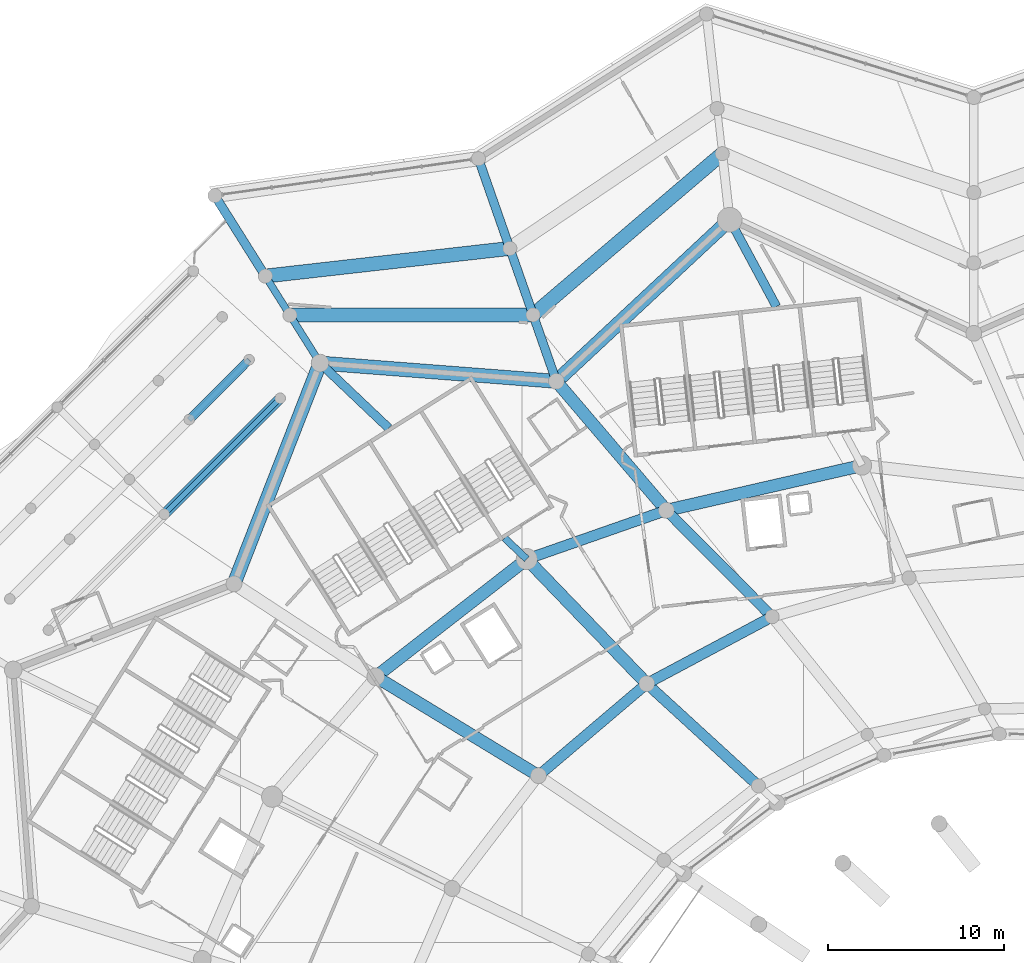
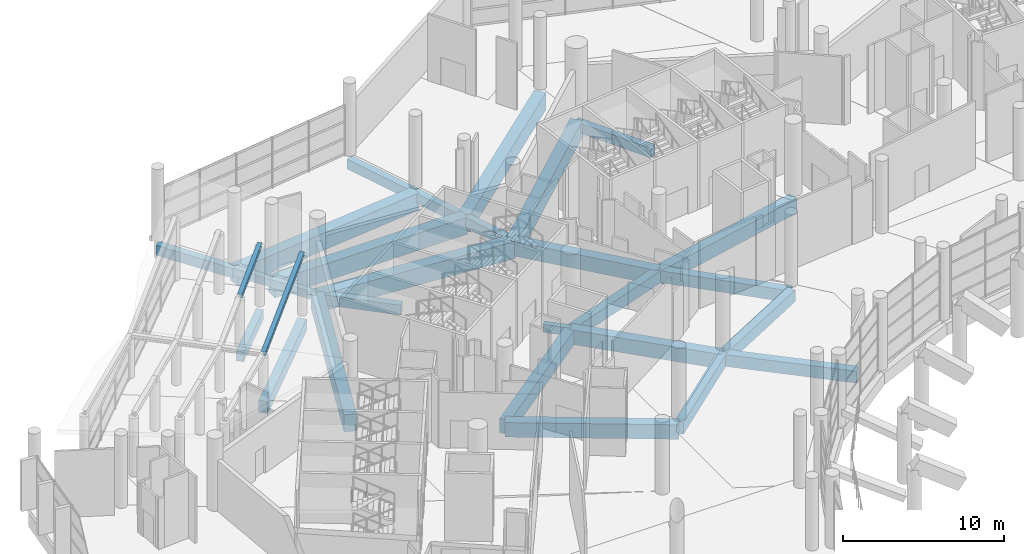
# One storey, part 80 of 271: 29 beams.
"""IFC4 building model written with IfcOpenShell, lengths in metres."""

import ifcopenshell
import ifcopenshell.guid

model = None  # the IFC model being written
_history = None  # IfcOwnerHistory: only IFC2X3 demands one
_inside = {}  # id of a spatial element -> (the spatial element, [elements in it])
_under = {}  # id of a project, library or spatial element -> (it, [spatial elements below it])
_declared = {}  # id of a project -> (the project, [libraries it declares])
_typed = {}  # id of a type object -> (the type object, [elements of that type])
_made_of = {}  # id of a material, layer set ... -> (it, [elements and type objects made of it])


def new_model(schema):
    """Start an empty IFC model of exactly this schema.

    Asked for "IFC4X3", IfcOpenShell would pick the latest addendum, in which some entities
    have other attributes; the version numbers below select the first issue.
    IFC2X3 requires an IfcOwnerHistory on every rooted entity: one is made here for all.
    """
    global model, _history
    if schema == "IFC4X3":
        model = ifcopenshell.file(schema_version=(4, 3, 0, 0))
    else:
        model = ifcopenshell.file(schema=schema)
    _inside.clear()
    _under.clear()
    _declared.clear()
    _typed.clear()
    _made_of.clear()
    _history = None
    if model.schema == "IFC2X3":
        org = make("IfcOrganization", Name="unknown")
        user = make(
            "IfcPersonAndOrganization",
            ThePerson=make("IfcPerson", FamilyName="unknown"),
            TheOrganization=org,
        )
        app = make(
            "IfcApplication",
            ApplicationDeveloper=org,
            Version="unknown",
            ApplicationFullName="unknown",
            ApplicationIdentifier="unknown",
        )
        _history = make(
            "IfcOwnerHistory",
            OwningUser=user,
            OwningApplication=app,
            ChangeAction="ADDED",
            CreationDate=0,
        )
    return model


def make(cls, **values):
    """One entity of the class cls with the attributes given. An attribute that is None is left unset."""
    return model.create_entity(
        cls, **{name: value for name, value in values.items() if value is not None}
    )


def rooted(cls, **values):
    """An entity with a GlobalId (a new one), such as an element, a storey or a relation."""
    return make(cls, GlobalId=ifcopenshell.guid.new(), OwnerHistory=_history, **values)


def si_unit(unit_type, name, prefix=None):
    """IfcSIUnit, for example si_unit("LENGTHUNIT", "METRE", prefix="MILLI")."""
    return make("IfcSIUnit", UnitType=unit_type, Prefix=prefix, Name=name)


def assignment(units):
    """IfcUnitAssignment: the units of a project."""
    return None if units is None else make("IfcUnitAssignment", Units=units)


def point(xyz):
    """IfcCartesianPoint."""
    return None if xyz is None else make("IfcCartesianPoint", Coordinates=xyz)


def direction(xyz):
    """IfcDirection."""
    return None if xyz is None else make("IfcDirection", DirectionRatios=xyz)


def frame(location, z_axis=None, x_axis=None):
    """IfcAxis2Placement3D, a coordinate frame: its origin and axes. An axis left out is left unset."""
    return make(
        "IfcAxis2Placement3D",
        Location=point(location),
        Axis=direction(z_axis),
        RefDirection=direction(x_axis),
    )


def frame_2d(location, x_axis=None):
    """IfcAxis2Placement2D, a coordinate frame in the plane: its origin and x axis."""
    return make(
        "IfcAxis2Placement2D", Location=point(location), RefDirection=direction(x_axis)
    )


def origin():
    """The frame at (0, 0, 0) with its axes left unset."""
    return frame((0.0, 0.0, 0.0))


def origin_2d():
    """The frame at (0, 0) in the plane with its x axis left unset."""
    return frame_2d((0.0, 0.0))


def place(relative_to, where):
    """IfcLocalPlacement: puts the frame where relative to a parent placement (None: the world)."""
    return make(
        "IfcLocalPlacement", PlacementRelTo=relative_to, RelativePlacement=where
    )


def context(
    kind, dimensions, precision=None, world=None, true_north=None, identifier=None
):
    """IfcGeometricRepresentationContext, for example the 3D "Model" context."""
    return make(
        "IfcGeometricRepresentationContext",
        ContextIdentifier=identifier,
        ContextType=kind,
        CoordinateSpaceDimension=dimensions,
        Precision=precision,
        WorldCoordinateSystem=world,
        TrueNorth=true_north,
    )


def subcontext(parent, identifier, kind, view, scale=None):
    """IfcGeometricRepresentationSubContext, for example "Body" below "Model"."""
    return make(
        "IfcGeometricRepresentationSubContext",
        ContextIdentifier=identifier,
        ContextType=kind,
        ParentContext=parent,
        TargetScale=scale,
        TargetView=view,
    )


def project(units=None, contexts=None):
    """IfcProject with its units and contexts."""
    return rooted(
        "IfcProject",
        Name="project",
        RepresentationContexts=contexts,
        UnitsInContext=assignment(units),
    )


def spatial(cls, under=None, at=None, **own):
    """A site, building, storey or space (cls), placed at a placement, below another one or the project."""
    s = rooted(cls, ObjectPlacement=at, **own)
    if under is not None:
        _under.setdefault(under.id(), (under, []))[1].append(s)
    return s


def profile(cls, at=None, kind="AREA", **sizes):
    """A parametric profile (cls). Its sizes go by their IFC names, for example OverallWidth=200.0."""
    return make(cls, ProfileType=kind, Position=at, **sizes)


def rectangle(**sizes):
    """IfcRectangleProfileDef."""
    return profile("IfcRectangleProfileDef", **sizes)


def i_section(**sizes):
    """IfcIShapeProfileDef."""
    return profile("IfcIShapeProfileDef", **sizes)


def extrude(swept, where, along, depth):
    """IfcExtrudedAreaSolid: the profile swept, set in the frame where, extruded along a direction by depth."""
    return make(
        "IfcExtrudedAreaSolid",
        SweptArea=swept,
        Position=where,
        ExtrudedDirection=direction(along),
        Depth=depth,
    )


def shape(context_of_items, identifier, shape_type, items):
    """IfcShapeRepresentation: the items that make up one representation, for example the "Body"."""
    return make(
        "IfcShapeRepresentation",
        ContextOfItems=context_of_items,
        RepresentationIdentifier=identifier,
        RepresentationType=shape_type,
        Items=items,
    )


def material(Name=None, Category=None):
    """IfcMaterial."""
    return make("IfcMaterial", Name=Name, Category=Category)


def material_profile(
    of_material, cross_section, Name=None, Category=None, Priority=None
):
    """IfcMaterialProfile: a cross section and its material."""
    return make(
        "IfcMaterialProfile",
        Name=Name,
        Material=of_material,
        Profile=cross_section,
        Priority=Priority,
        Category=Category,
    )


def profile_set(profiles, Name=None, composite=None):
    """IfcMaterialProfileSet."""
    return make(
        "IfcMaterialProfileSet",
        Name=Name,
        MaterialProfiles=profiles,
        CompositeProfile=composite,
    )


def made_of(thing, what):
    """Note that an element or type object is made of a material, layer set ...; save() writes the relation."""
    if what is not None:
        _made_of.setdefault(what.id(), (what, []))[1].append(thing)
    return thing


def type_object(cls, material=None, **own):
    """A type object (cls), such as IfcWallType, which elements share."""
    return made_of(rooted(cls, **own), material)


def element(
    cls,
    number,
    at=None,
    inside=None,
    cuts=None,
    type_object=None,
    material=None,
    context=None,
    identifier="Body",
    shape_type=None,
    held_by="IfcProductDefinitionShape",
    body=None,
    shapes=None,
    **own,
):
    """One element of the class cls, such as IfcWall. Its Tag is "e" and its number.

    at: its placement. inside: the storey or other place that contains it. cuts: it is an
    opening in that element (IfcRelVoidsElement). A single representation is given by context,
    identifier, shape_type and body (its items); several are given by shapes. held_by: the class
    of the entity that holds the representations. save() writes the other relations.
    """
    e = rooted(cls, Tag="e%d" % number, ObjectPlacement=at, **own)
    if body is not None:
        shapes = [shape(context, identifier, shape_type, body)]
    if shapes is not None:
        e.Representation = make(held_by, Representations=shapes)
    if inside is not None:
        _inside.setdefault(inside.id(), (inside, []))[1].append(e)
    if cuts is not None:
        rooted(
            "IfcRelVoidsElement", RelatingBuildingElement=cuts, RelatedOpeningElement=e
        )
    if type_object is not None:
        _typed.setdefault(type_object.id(), (type_object, []))[1].append(e)
    return made_of(e, material)


def aggregate(whole, parts):
    """IfcRelAggregates: a whole, such as a stair, and the parts it consists of."""
    return rooted("IfcRelAggregates", RelatingObject=whole, RelatedObjects=parts)


def save(model, path):
    """Write the relations noted so far, then the file.

    IfcRelAggregates (storeys below a building ...), IfcRelContainedInSpatialStructure (elements
    in a storey), IfcRelDefinesByType, IfcRelAssociatesMaterial and IfcRelDeclares: one each for
    every whole, place, type object, material and project.
    """
    for whole, parts in _under.values():
        aggregate(whole, parts)
    for where, things in _inside.values():
        rooted(
            "IfcRelContainedInSpatialStructure",
            RelatedElements=things,
            RelatingStructure=where,
        )
    for kind, things in _typed.values():
        rooted("IfcRelDefinesByType", RelatedObjects=things, RelatingType=kind)
    for what, things in _made_of.values():
        rooted("IfcRelAssociatesMaterial", RelatedObjects=things, RelatingMaterial=what)
    for by, libraries in _declared.values():
        rooted("IfcRelDeclares", RelatingContext=by, RelatedDefinitions=libraries)
    model.write(path)


model = new_model("IFC4")

# Units and contexts
model_context = context("Model", 3, precision=1e-05, world=origin(), true_north=direction((0.0, 1.0)))
body_context = subcontext(model_context, "Body", "Model", "MODEL_VIEW")
ifc_project = project(units=[si_unit("LENGTHUNIT", "METRE"), si_unit("AREAUNIT", "SQUARE_METRE"), si_unit("VOLUMEUNIT", "CUBIC_METRE"), si_unit("PLANEANGLEUNIT", "RADIAN"), si_unit("MASSUNIT", "GRAM", prefix="KILO")], contexts=[model_context])

# Site, building, storey
site_placement = place(None, origin())
site = spatial("IfcSite", under=ifc_project, at=site_placement, CompositionType="ELEMENT")
building_placement = place(site_placement, origin())
building = spatial("IfcBuilding", under=site, at=building_placement, Name="Meseta Stadium", CompositionType="ELEMENT")
storey_placement = place(building_placement, frame((0.0, 0.0, 6.5)))
storey = spatial("IfcBuildingStorey", under=building, at=storey_placement, Name="L01", CompositionType="ELEMENT", Elevation=6.5)

# Beams
ifc_material_1 = material(Name="Steel S355", Category="steel")
ifc_material_profile_1 = material_profile(ifc_material_1, i_section(OverallWidth=0.300048828125, OverallDepth=0.300048828125, WebThickness=0.010986328125, FlangeThickness=0.01904296875, FilletRadius=0.027099609375, at=origin_2d()), Name="HEB 300")
ifc_profile_set_1 = profile_set([ifc_material_profile_1], Name="Steel S355")
beam_type_1 = type_object("IfcBeamType", Name="Gate roof beam HEB 300 rafter", PredefinedType="BEAM", material=ifc_profile_set_1)
beam_1_placement = place(storey_placement, frame((-77.74169921875, 94.90869140625, 4.56005859375), z_axis=(-0.700277353695, -0.700277353695, -0.138647956366), x_axis=(0.707106781187, -0.707106781187, 0.0)))
element("IfcBeam", 1, at=beam_1_placement, inside=storey, type_object=beam_type_1, Name="Gate 4 roof rafter", PredefinedType="BEAM", context=body_context, shape_type="SweptSolid", body=[
    extrude(i_section(OverallWidth=0.300048828125, OverallDepth=0.300048828125, WebThickness=0.010986328125, FlangeThickness=0.01904296875, FilletRadius=0.027099609375, at=origin_2d()), origin(), (0.0, 0.0, 1.0), 9.4013671875),
])
beam_2_placement = place(storey_placement, frame((-79.510009765625, 97.100341796875, 4.5458984375), z_axis=(-0.700253799014, -0.700304119063, -0.138631734427), x_axis=(0.707132186068, -0.707081375392, 0.0)))
element("IfcBeam", 2, at=beam_2_placement, inside=storey, type_object=beam_type_1, Name="Gate 4 roof rafter", PredefinedType="BEAM", context=body_context, shape_type="SweptSolid", body=[
    extrude(i_section(OverallWidth=0.300048828125, OverallDepth=0.300048828125, WebThickness=0.010986328125, FlangeThickness=0.01904296875, FilletRadius=0.027099609375, at=origin_2d()), origin(), (0.0, 0.0, 1.0), 4.851806640625),
])
ifc_material_2 = material(Name="Concrete C40/50", Category="concrete")
ifc_material_profile_2 = material_profile(ifc_material_2, rectangle(XDim=0.39990234375, YDim=0.60009765625, at=origin_2d()), Name="RC 400x600")
ifc_profile_set_2 = profile_set([ifc_material_profile_2], Name="Concrete C40/50")
beam_type_2 = type_object("IfcBeamType", Name="RC beam 400x600", PredefinedType="BEAM", material=ifc_profile_set_2)
beam_3_placement = place(storey_placement, frame((-63.731201171875, 85.77099609375, -0.64990234375), z_axis=(-0.725600801439, 0.688115889187, 0.0), x_axis=(-0.688115889187, -0.725600801439, 0.0)))
element("IfcBeam", 3, at=beam_3_placement, inside=storey, type_object=beam_type_2, Name="L01 radial beam frame 24 line P to R", PredefinedType="BEAM", context=body_context, shape_type="SweptSolid", body=[
    extrude(rectangle(XDim=0.39990234375, YDim=0.60009765625, at=origin_2d()), origin(), (0.0, 0.0, 1.0), 1.732421875),
])
beam_4_placement = place(storey_placement, frame((-75.474609375, 96.908447265625, -0.64990234375), z_axis=(-0.532008453304, 0.846739042216, 0.0), x_axis=(-0.846739042216, -0.532008453304, 0.0)))
element("IfcBeam", 4, at=beam_4_placement, inside=storey, type_object=beam_type_2, Name="L01 radial beam frame 24 line R to M", PredefinedType="BEAM", context=body_context, shape_type="SweptSolid", body=[
    extrude(rectangle(XDim=0.39990234375, YDim=0.60009765625, at=origin_2d()), origin(), (0.0, 0.0, 1.0), 3.21923828125),
])
beam_5_placement = place(storey_placement, frame((-77.187255859375, 99.63427734375, -0.64990234375), z_axis=(-0.532083725107, 0.84669174407, 0.0), x_axis=(-0.84669174407, -0.532083725107, 0.0)))
element("IfcBeam", 5, at=beam_5_placement, inside=storey, type_object=beam_type_2, Name="L01 radial beam frame 24 line M to Q", PredefinedType="BEAM", context=body_context, shape_type="SweptSolid", body=[
    extrude(rectangle(XDim=0.39990234375, YDim=0.60009765625, at=origin_2d()), origin(), (0.0, 0.0, 1.0), 2.619140625),
])
ifc_material_3 = material(Name="Concrete C40/50", Category="concrete")
ifc_material_profile_3 = material_profile(ifc_material_3, rectangle(XDim=0.5, YDim=0.75, at=origin_2d()), Name="RC 500x750")
ifc_profile_set_3 = profile_set([ifc_material_profile_3], Name="Concrete C40/50")
beam_type_3 = type_object("IfcBeamType", Name="RC beam 500x750", PredefinedType="BEAM", material=ifc_profile_set_3)
beam_6_placement = place(storey_placement, frame((-49.54541015625, 100.1181640625, -0.72509765625), z_axis=(-0.474227121741, 0.880402542594, 0.0), x_axis=(-0.880402542594, -0.474227121741, 0.0)))
element("IfcBeam", 6, at=beam_6_placement, inside=storey, type_object=beam_type_3, Name="L01 radial beam frame 22 line P to R", PredefinedType="BEAM", context=body_context, shape_type="SweptSolid", body=[
    extrude(rectangle(XDim=0.5, YDim=0.75, at=origin_2d()), origin(), (0.0, 0.0, 1.0), 5.603759765625),
])
beam_7_placement = place(storey_placement, frame((-71.57958984375, 93.214599609375, -0.72509765625), z_axis=(-0.725596444109, 0.688120483852, 0.0), x_axis=(-0.688120483852, -0.725596444109, 0.0)))
element("IfcBeam", 7, at=beam_7_placement, inside=storey, type_object=beam_type_3, Name="L01 radial beam frame 24 line P to R", PredefinedType="BEAM", context=body_context, shape_type="SweptSolid", body=[
    extrude(rectangle(XDim=0.5, YDim=0.75, at=origin_2d()), origin(), (0.0, 0.0, 1.0), 5.367919921875),
])
for number, where, z_axis, x_axis, name in (
    (8, (-62.051513671875, 95.872802734375, -0.72509765625), (-0.330328674497, 0.943865968666, 0.0), (-0.943865968666, -0.330328674497, 0.0), "L01 radial beam frame 23 line R to M"),
    (9, (-63.372802734375, 99.648193359375, -0.72509765625), (-0.330255269735, 0.94389165523, 0.0), (-0.94389165523, -0.330255269735, 0.0), "L01 radial beam frame 23 line M to Q"),
):
    element("IfcBeam", number, at=place(storey_placement, frame(where, z_axis=z_axis, x_axis=x_axis)), inside=storey, type_object=beam_type_3, Name=name, PredefinedType="BEAM", context=body_context, shape_type="SweptSolid", body=[
        extrude(rectangle(XDim=0.5, YDim=0.75, at=origin_2d()), origin(), (0.0, 0.0, 1.0), 4.0),
    ])
beam_8_placement = place(storey_placement, frame((-64.69384765625, 103.423828125, -0.72509765625), z_axis=(-0.330271882003, 0.943885842652, 0.0), x_axis=(-0.943885842652, -0.330271882003, 0.0)))
element("IfcBeam", 10, at=beam_8_placement, inside=storey, type_object=beam_type_3, Name="L01 radial beam frame 23 line Q to O", PredefinedType="BEAM", context=body_context, shape_type="SweptSolid", body=[
    extrude(rectangle(XDim=0.5, YDim=0.75, at=origin_2d()), origin(), (0.0, 0.0, 1.0), 5.39990234375),
])
beam_9_placement = place(storey_placement, frame((-78.580810546875, 101.851806640625, -0.72509765625), z_axis=(-0.531992833871, 0.846748855747, 0.0), x_axis=(-0.846748855747, -0.531992833871, 0.0)))
element("IfcBeam", 11, at=beam_9_placement, inside=storey, type_object=beam_type_3, Name="L01 radial beam frame 24 line Q to O", PredefinedType="BEAM", context=body_context, shape_type="SweptSolid", body=[
    extrude(rectangle(XDim=0.5, YDim=0.75, at=origin_2d()), origin(), (0.0, 0.0, 1.0), 5.400146484375),
])
beam_10_placement = place(storey_placement, frame((-79.510009765625, 97.100341796875, -0.72509765625), z_axis=(-0.707081375392, -0.707132186068, 0.0), x_axis=(0.707132186068, -0.707081375392, 0.0)))
element("IfcBeam", 12, at=beam_10_placement, inside=storey, type_object=beam_type_3, Name="Gate 4 floor beam", PredefinedType="BEAM", context=body_context, shape_type="SweptSolid", body=[
    extrude(rectangle(XDim=0.5, YDim=0.75, at=origin_2d()), origin(), (0.0, 0.0, 1.0), 4.804931640625),
])
ifc_material_4 = material(Name="Concrete C40/50", Category="concrete")
ifc_material_profile_4 = material_profile(ifc_material_4, rectangle(XDim=0.60009765625, YDim=0.89990234375, at=origin_2d()), Name="RC 600x900")
ifc_profile_set_4 = profile_set([ifc_material_profile_4], Name="Concrete C40/50")
beam_type_4 = type_object("IfcBeamType", Name="RC beam 600x900", PredefinedType="BEAM", material=ifc_profile_set_4)
beam_11_placement = place(storey_placement, frame((-49.791015625, 82.498779296875, -0.800048828125), z_axis=(-0.882172948557, -0.47092556613, 0.0), x_axis=(0.47092556613, -0.882172948557, 0.0)))
element("IfcBeam", 13, at=beam_11_placement, inside=storey, type_object=beam_type_4, Name="L01 ring beam frame 23 line E", PredefinedType="BEAM", context=body_context, shape_type="SweptSolid", body=[
    extrude(rectangle(XDim=0.60009765625, YDim=0.89990234375, at=origin_2d()), origin(), (0.0, 0.0, 1.0), 8.075439453125),
])
beam_12_placement = place(storey_placement, frame((-55.799560546875, 88.541748046875, -0.800048828125), z_axis=(-0.944055708451, -0.329786020537, 0.0), x_axis=(0.329786020537, -0.944055708451, 0.0)))
element("IfcBeam", 14, at=beam_12_placement, inside=storey, type_object=beam_type_4, Name="L01 ring beam frame 23 line P", PredefinedType="BEAM", context=body_context, shape_type="SweptSolid", body=[
    extrude(rectangle(XDim=0.60009765625, YDim=0.89990234375, at=origin_2d()), origin(), (0.0, 0.0, 1.0), 8.401611328125),
])
beam_13_placement = place(storey_placement, frame((-56.9150390625, 78.69580078125, -0.800048828125), z_axis=(-0.762201166724, -0.647340236231, 0.0), x_axis=(0.647340236231, -0.762201166724, 0.0)))
element("IfcBeam", 15, at=beam_13_placement, inside=storey, type_object=beam_type_4, Name="L01 ring beam frame 24 line E", PredefinedType="BEAM", context=body_context, shape_type="SweptSolid", body=[
    extrude(rectangle(XDim=0.60009765625, YDim=0.89990234375, at=origin_2d()), origin(), (0.0, 0.0, 1.0), 8.07275390625),
])
beam_14_placement = place(storey_placement, frame((-49.791015625, 82.498779296875, -0.800048828125), z_axis=(-0.705084131782, 0.709123661366, 0.0), x_axis=(-0.709123661366, -0.705084131782, 0.0)))
element("IfcBeam", 16, at=beam_14_placement, inside=storey, type_object=beam_type_4, Name="L01 radial beam frame 23 line E to P", PredefinedType="BEAM", context=body_context, shape_type="SweptSolid", body=[
    extrude(rectangle(XDim=0.60009765625, YDim=0.89990234375, at=origin_2d()), origin(), (0.0, 0.0, 1.0), 8.521728515625),
])
beam_15_placement = place(storey_placement, frame((-50.571533203125, 72.888916015625, -0.800048828125), z_axis=(-0.737617073742, 0.675219262554, 0.0), x_axis=(-0.675219262554, -0.737617073742, 0.0)))
element("IfcBeam", 17, at=beam_15_placement, inside=storey, type_object=beam_type_4, Name="L01 radial beam frame 24 line D to E", PredefinedType="BEAM", context=body_context, shape_type="SweptSolid", body=[
    extrude(rectangle(XDim=0.60009765625, YDim=0.89990234375, at=origin_2d()), origin(), (0.0, 0.0, 1.0), 8.60009765625),
])
beam_16_placement = place(storey_placement, frame((-77.74169921875, 94.90869140625, -0.800048828125), z_axis=(-0.707106781187, -0.707106781187, 0.0), x_axis=(0.707106781187, -0.707106781187, 0.0)))
element("IfcBeam", 18, at=beam_16_placement, inside=storey, type_object=beam_type_4, Name="Gate 4 floor beam", PredefinedType="BEAM", context=body_context, shape_type="SweptSolid", body=[
    extrude(rectangle(XDim=0.60009765625, YDim=0.89990234375, at=origin_2d()), origin(), (0.0, 0.0, 1.0), 9.310546875),
])
ifc_material_5 = material(Name="Concrete C40/50", Category="concrete")
ifc_material_profile_5 = material_profile(ifc_material_5, rectangle(XDim=0.699951171875, YDim=1.10009765625, at=origin_2d()), Name="RC 700x1100")
ifc_profile_set_5 = profile_set([ifc_material_profile_5], Name="Concrete C40/50")
beam_type_5 = type_object("IfcBeamType", Name="RC beam 700x1100", PredefinedType="BEAM", material=ifc_profile_set_5)
beam_17_placement = place(storey_placement, frame((-44.6826171875, 91.0908203125, -0.89990234375), z_axis=(-0.974704832518, -0.22349606141, 0.0), x_axis=(0.22349606141, -0.974704832518, 0.0)))
element("IfcBeam", 19, at=beam_17_placement, inside=storey, type_object=beam_type_5, Name="L01 ring beam frame 22 line P", PredefinedType="BEAM", context=body_context, shape_type="SweptSolid", body=[
    extrude(rectangle(XDim=0.699951171875, YDim=1.10009765625, at=origin_2d()), origin(), (0.0, 0.0, 1.0), 11.405517578125),
])
beam_18_placement = place(storey_placement, frame((-63.731201171875, 85.77099609375, -0.89990234375), z_axis=(-0.789086185012, -0.614282502293, 0.0), x_axis=(0.614282502293, -0.789086185012, 0.0)))
element("IfcBeam", 20, at=beam_18_placement, inside=storey, type_object=beam_type_5, Name="L01 ring beam frame 24 line P", PredefinedType="BEAM", context=body_context, shape_type="SweptSolid", body=[
    extrude(rectangle(XDim=0.699951171875, YDim=1.10009765625, at=origin_2d()), origin(), (0.0, 0.0, 1.0), 10.874267578125),
])
beam_19_placement = place(storey_placement, frame((-55.799560546875, 88.541748046875, -0.89990234375), z_axis=(-0.648886206148, 0.760885465409, 0.0), x_axis=(-0.760885465409, -0.648886206148, 0.0)))
element("IfcBeam", 21, at=beam_19_placement, inside=storey, type_object=beam_type_5, Name="L01 radial beam frame 23 line P to R", PredefinedType="BEAM", context=body_context, shape_type="SweptSolid", body=[
    extrude(rectangle(XDim=0.699951171875, YDim=1.10009765625, at=origin_2d()), origin(), (0.0, 0.0, 1.0), 9.635009765625),
])
beam_20_placement = place(storey_placement, frame((-56.9150390625, 78.69580078125, -0.89990234375), z_axis=(-0.69380069558, 0.72016706035, 0.0), x_axis=(-0.72016706035, -0.69380069558, 0.0)))
element("IfcBeam", 22, at=beam_20_placement, inside=storey, type_object=beam_type_5, Name="L01 radial beam frame 24 line E to P", PredefinedType="BEAM", context=body_context, shape_type="SweptSolid", body=[
    extrude(rectangle(XDim=0.699951171875, YDim=1.10009765625, at=origin_2d()), origin(), (0.0, 0.0, 1.0), 9.824462890625),
])
beam_21_placement = place(storey_placement, frame((-63.068115234375, 73.469970703125, -0.89990234375), z_axis=(-0.854429426189, 0.519567469788, 0.0), x_axis=(-0.519567469788, -0.854429426189, 0.0)))
element("IfcBeam", 23, at=beam_21_placement, inside=storey, type_object=beam_type_5, Name="L01 radial beam frame 25 line E to P", PredefinedType="BEAM", context=body_context, shape_type="SweptSolid", body=[
    extrude(rectangle(XDim=0.699951171875, YDim=1.10009765625, at=origin_2d()), origin(), (0.0, 0.0, 1.0), 10.81884765625),
])
ifc_material_6 = material(Name="Concrete C40/50", Category="concrete")
ifc_material_profile_6 = material_profile(ifc_material_6, rectangle(XDim=0.800048828125, YDim=1.300048828125, at=origin_2d()), Name="RC 800x1300")
ifc_profile_set_6 = profile_set([ifc_material_profile_6], Name="Concrete C40/50")
beam_type_6 = type_object("IfcBeamType", Name="RC beam 800x1300", PredefinedType="BEAM", material=ifc_profile_set_6)
for number, where, z_axis, x_axis, name in (
    (24, (-52.202880859375, 105.0517578125, -1.0), (-0.73154053301, -0.681797952889, 0.0), (0.681797952889, -0.73154053301, 0.0), "L01 ring beam frame 22 line R"),
    (25, (-62.051513671875, 95.872802734375, -1.0), (-0.997036858399, 0.076925307894, 0.0), (-0.076925307894, -0.997036858399, 0.0), "L01 ring beam frame 23 line R"),
    (26, (-75.474609375, 96.908447265625, -1.0), (-0.363287980868, -0.93167689837, 0.0), (0.93167689837, -0.363287980868, 0.0), "L01 ring beam frame 24 line R"),
):
    element("IfcBeam", number, at=place(storey_placement, frame(where, z_axis=z_axis, x_axis=x_axis)), inside=storey, type_object=beam_type_6, Name=name, PredefinedType="BEAM", context=body_context, shape_type="SweptSolid", body=[
        extrude(rectangle(XDim=0.800048828125, YDim=1.300048828125, at=origin_2d()), origin(), (0.0, 0.0, 1.0), 13.462890625),
    ])
beam_22_placement = place(storey_placement, frame((-52.626220703125, 108.80810546875, -1.0), z_axis=(-0.761053850743, -0.648688705212, 0.0), x_axis=(0.648688705212, -0.761053850743, 0.0)))
element("IfcBeam", 27, at=beam_22_placement, inside=storey, type_object=beam_type_6, Name="L01 ring beam frame 22 line M", PredefinedType="BEAM", context=body_context, shape_type="SweptSolid", body=[
    extrude(rectangle(XDim=0.800048828125, YDim=1.300048828125, at=origin_2d()), origin(), (0.0, 0.0, 1.0), 14.12060546875),
])
beam_23_placement = place(storey_placement, frame((-63.372802734375, 99.648193359375, -1.0), z_axis=(-0.999999492621, -0.00100735139, 0.0), x_axis=(0.00100735139, -0.999999492621, 0.0)))
element("IfcBeam", 28, at=beam_23_placement, inside=storey, type_object=beam_type_6, Name="L01 ring beam frame 23 line M", PredefinedType="BEAM", context=body_context, shape_type="SweptSolid", body=[
    extrude(rectangle(XDim=0.800048828125, YDim=1.300048828125, at=origin_2d()), origin(), (0.0, 0.0, 1.0), 13.814453125),
])
beam_24_placement = place(storey_placement, frame((-64.69384765625, 103.423828125, -1.0), z_axis=(-0.993653668283, -0.112482832054, 0.0), x_axis=(0.112482832054, -0.993653668283, 0.0)))
element("IfcBeam", 29, at=beam_24_placement, inside=storey, type_object=beam_type_6, Name="L01 ring beam frame 23 line Q", PredefinedType="BEAM", context=body_context, shape_type="SweptSolid", body=[
    extrude(rectangle(XDim=0.800048828125, YDim=1.300048828125, at=origin_2d()), origin(), (0.0, 0.0, 1.0), 13.9755859375),
])

save(model, "model.ifc")
